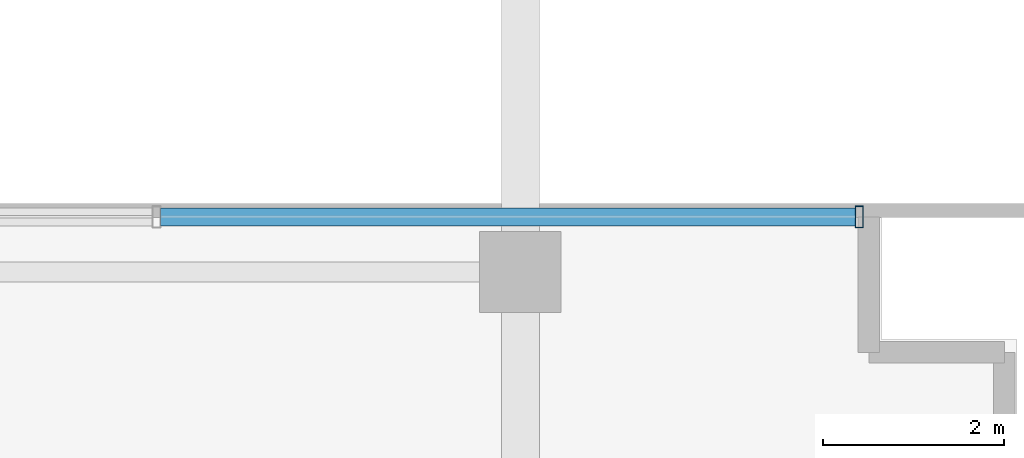
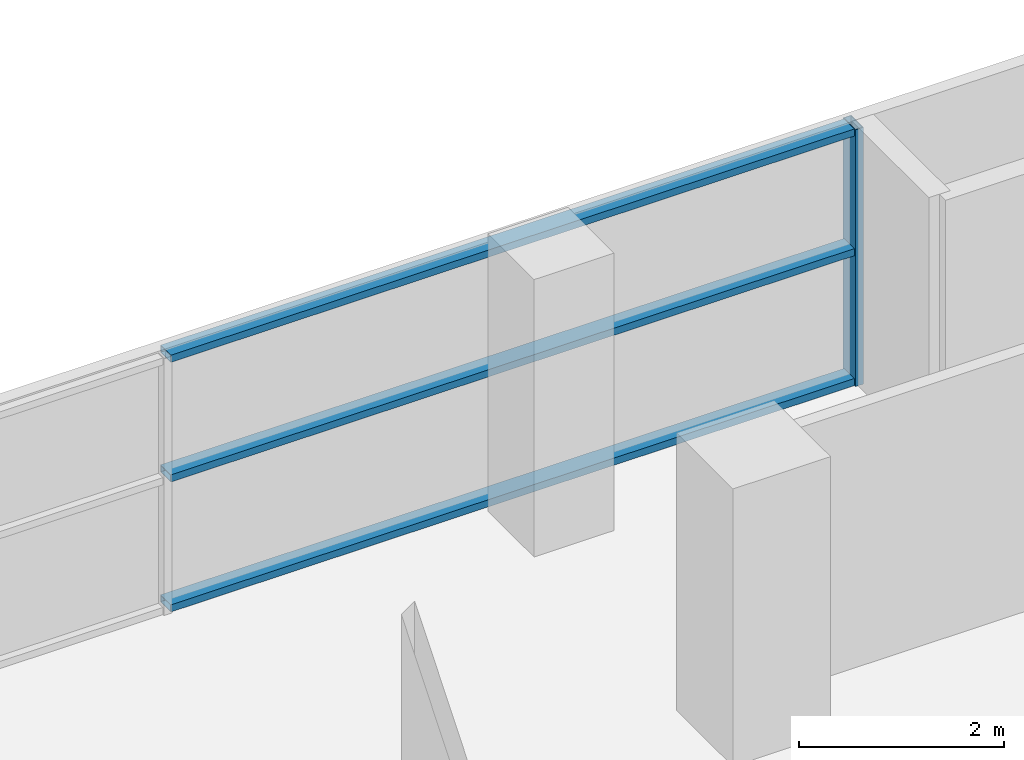
# One storey, part 22 of 32: 4 members, 1 element without a shape of its own.
"""IFC4 building model written with IfcOpenShell, lengths in metres."""

import ifcopenshell
import ifcopenshell.guid

model = None  # the IFC model being written
_history = None  # IfcOwnerHistory: only IFC2X3 demands one
_inside = {}  # id of a spatial element -> (the spatial element, [elements in it])
_under = {}  # id of a project, library or spatial element -> (it, [spatial elements below it])
_declared = {}  # id of a project -> (the project, [libraries it declares])
_typed = {}  # id of a type object -> (the type object, [elements of that type])
_made_of = {}  # id of a material, layer set ... -> (it, [elements and type objects made of it])


def new_model(schema):
    """Start an empty IFC model of exactly this schema.

    Asked for "IFC4X3", IfcOpenShell would pick the latest addendum, in which some entities
    have other attributes; the version numbers below select the first issue.
    IFC2X3 requires an IfcOwnerHistory on every rooted entity: one is made here for all.
    """
    global model, _history
    if schema == "IFC4X3":
        model = ifcopenshell.file(schema_version=(4, 3, 0, 0))
    else:
        model = ifcopenshell.file(schema=schema)
    _inside.clear()
    _under.clear()
    _declared.clear()
    _typed.clear()
    _made_of.clear()
    _history = None
    if model.schema == "IFC2X3":
        org = make("IfcOrganization", Name="unknown")
        user = make(
            "IfcPersonAndOrganization",
            ThePerson=make("IfcPerson", FamilyName="unknown"),
            TheOrganization=org,
        )
        app = make(
            "IfcApplication",
            ApplicationDeveloper=org,
            Version="unknown",
            ApplicationFullName="unknown",
            ApplicationIdentifier="unknown",
        )
        _history = make(
            "IfcOwnerHistory",
            OwningUser=user,
            OwningApplication=app,
            ChangeAction="ADDED",
            CreationDate=0,
        )
    return model


def make(cls, **values):
    """One entity of the class cls with the attributes given. An attribute that is None is left unset."""
    return model.create_entity(
        cls, **{name: value for name, value in values.items() if value is not None}
    )


def rooted(cls, **values):
    """An entity with a GlobalId (a new one), such as an element, a storey or a relation."""
    return make(cls, GlobalId=ifcopenshell.guid.new(), OwnerHistory=_history, **values)


def si_unit(unit_type, name, prefix=None):
    """IfcSIUnit, for example si_unit("LENGTHUNIT", "METRE", prefix="MILLI")."""
    return make("IfcSIUnit", UnitType=unit_type, Prefix=prefix, Name=name)


def assignment(units):
    """IfcUnitAssignment: the units of a project."""
    return None if units is None else make("IfcUnitAssignment", Units=units)


def point(xyz):
    """IfcCartesianPoint."""
    return None if xyz is None else make("IfcCartesianPoint", Coordinates=xyz)


def direction(xyz):
    """IfcDirection."""
    return None if xyz is None else make("IfcDirection", DirectionRatios=xyz)


def frame(location, z_axis=None, x_axis=None):
    """IfcAxis2Placement3D, a coordinate frame: its origin and axes. An axis left out is left unset."""
    return make(
        "IfcAxis2Placement3D",
        Location=point(location),
        Axis=direction(z_axis),
        RefDirection=direction(x_axis),
    )


def frame_2d(location, x_axis=None):
    """IfcAxis2Placement2D, a coordinate frame in the plane: its origin and x axis."""
    return make(
        "IfcAxis2Placement2D", Location=point(location), RefDirection=direction(x_axis)
    )


def origin():
    """The frame at (0, 0, 0) with its axes left unset."""
    return frame((0.0, 0.0, 0.0))


def origin_2d():
    """The frame at (0, 0) in the plane with its x axis left unset."""
    return frame_2d((0.0, 0.0))


def place(relative_to, where):
    """IfcLocalPlacement: puts the frame where relative to a parent placement (None: the world)."""
    return make(
        "IfcLocalPlacement", PlacementRelTo=relative_to, RelativePlacement=where
    )


def context(
    kind, dimensions, precision=None, world=None, true_north=None, identifier=None
):
    """IfcGeometricRepresentationContext, for example the 3D "Model" context."""
    return make(
        "IfcGeometricRepresentationContext",
        ContextIdentifier=identifier,
        ContextType=kind,
        CoordinateSpaceDimension=dimensions,
        Precision=precision,
        WorldCoordinateSystem=world,
        TrueNorth=true_north,
    )


def subcontext(parent, identifier, kind, view, scale=None):
    """IfcGeometricRepresentationSubContext, for example "Body" below "Model"."""
    return make(
        "IfcGeometricRepresentationSubContext",
        ContextIdentifier=identifier,
        ContextType=kind,
        ParentContext=parent,
        TargetScale=scale,
        TargetView=view,
    )


def project(units=None, contexts=None):
    """IfcProject with its units and contexts."""
    return rooted(
        "IfcProject",
        Name="project",
        RepresentationContexts=contexts,
        UnitsInContext=assignment(units),
    )


def spatial(cls, under=None, at=None, **own):
    """A site, building, storey or space (cls), placed at a placement, below another one or the project."""
    s = rooted(cls, ObjectPlacement=at, **own)
    if under is not None:
        _under.setdefault(under.id(), (under, []))[1].append(s)
    return s


def profile(cls, at=None, kind="AREA", **sizes):
    """A parametric profile (cls). Its sizes go by their IFC names, for example OverallWidth=200.0."""
    return make(cls, ProfileType=kind, Position=at, **sizes)


def hollow_rectangle(**sizes):
    """IfcRectangleHollowProfileDef."""
    return profile("IfcRectangleHollowProfileDef", **sizes)


def extrude(swept, where, along, depth):
    """IfcExtrudedAreaSolid: the profile swept, set in the frame where, extruded along a direction by depth."""
    return make(
        "IfcExtrudedAreaSolid",
        SweptArea=swept,
        Position=where,
        ExtrudedDirection=direction(along),
        Depth=depth,
    )


def shape(context_of_items, identifier, shape_type, items):
    """IfcShapeRepresentation: the items that make up one representation, for example the "Body"."""
    return make(
        "IfcShapeRepresentation",
        ContextOfItems=context_of_items,
        RepresentationIdentifier=identifier,
        RepresentationType=shape_type,
        Items=items,
    )


def source(mapping_origin, context_of_items, identifier, shape_type, items):
    """IfcRepresentationMap: a shape defined once, which mapped items show again and again."""
    return make(
        "IfcRepresentationMap",
        MappingOrigin=mapping_origin,
        MappedRepresentation=shape(context_of_items, identifier, shape_type, items),
    )


def transform(
    local_origin,
    x_axis=None,
    y_axis=None,
    z_axis=None,
    scale=None,
    scale2=None,
    scale3=None,
    uniform=True,
):
    """IfcCartesianTransformationOperator3D, or its non-uniform kind. x_axis, y_axis, z_axis: its Axis1, 2, 3."""
    if uniform:
        return make(
            "IfcCartesianTransformationOperator3D",
            Axis1=direction(x_axis),
            Axis2=direction(y_axis),
            LocalOrigin=point(local_origin),
            Scale=scale,
            Axis3=direction(z_axis),
        )
    return make(
        "IfcCartesianTransformationOperator3DnonUniform",
        Axis1=direction(x_axis),
        Axis2=direction(y_axis),
        LocalOrigin=point(local_origin),
        Scale=scale,
        Axis3=direction(z_axis),
        Scale2=scale2,
        Scale3=scale3,
    )


def mapped(mapping_source, mapping_target):
    """IfcMappedItem: shows the shape of a source again, moved by a transform."""
    return make(
        "IfcMappedItem", MappingSource=mapping_source, MappingTarget=mapping_target
    )


def material(Name=None, Category=None):
    """IfcMaterial."""
    return make("IfcMaterial", Name=Name, Category=Category)


def layer(
    of_material, thickness, ventilated=None, Name=None, Category=None, Priority=None
):
    """IfcMaterialLayer: one layer of a wall or slab, of a material (None: an air gap)."""
    return make(
        "IfcMaterialLayer",
        Material=of_material,
        LayerThickness=thickness,
        IsVentilated=ventilated,
        Name=Name,
        Category=Category,
        Priority=Priority,
    )


def layer_set(layers, Name=None):
    """IfcMaterialLayerSet."""
    return make("IfcMaterialLayerSet", MaterialLayers=layers, LayerSetName=Name)


def material_profile(
    of_material, cross_section, Name=None, Category=None, Priority=None
):
    """IfcMaterialProfile: a cross section and its material."""
    return make(
        "IfcMaterialProfile",
        Name=Name,
        Material=of_material,
        Profile=cross_section,
        Priority=Priority,
        Category=Category,
    )


def profile_set(profiles, Name=None, composite=None):
    """IfcMaterialProfileSet."""
    return make(
        "IfcMaterialProfileSet",
        Name=Name,
        MaterialProfiles=profiles,
        CompositeProfile=composite,
    )


def made_of(thing, what):
    """Note that an element or type object is made of a material, layer set ...; save() writes the relation."""
    if what is not None:
        _made_of.setdefault(what.id(), (what, []))[1].append(thing)
    return thing


def type_object(cls, material=None, **own):
    """A type object (cls), such as IfcWallType, which elements share."""
    return made_of(rooted(cls, **own), material)


def element(
    cls,
    number,
    at=None,
    inside=None,
    cuts=None,
    type_object=None,
    material=None,
    context=None,
    identifier="Body",
    shape_type=None,
    held_by="IfcProductDefinitionShape",
    body=None,
    shapes=None,
    **own,
):
    """One element of the class cls, such as IfcWall. Its Tag is "e" and its number.

    at: its placement. inside: the storey or other place that contains it. cuts: it is an
    opening in that element (IfcRelVoidsElement). A single representation is given by context,
    identifier, shape_type and body (its items); several are given by shapes. held_by: the class
    of the entity that holds the representations. save() writes the other relations.
    """
    e = rooted(cls, Tag="e%d" % number, ObjectPlacement=at, **own)
    if body is not None:
        shapes = [shape(context, identifier, shape_type, body)]
    if shapes is not None:
        e.Representation = make(held_by, Representations=shapes)
    if inside is not None:
        _inside.setdefault(inside.id(), (inside, []))[1].append(e)
    if cuts is not None:
        rooted(
            "IfcRelVoidsElement", RelatingBuildingElement=cuts, RelatedOpeningElement=e
        )
    if type_object is not None:
        _typed.setdefault(type_object.id(), (type_object, []))[1].append(e)
    return made_of(e, material)


def aggregate(whole, parts):
    """IfcRelAggregates: a whole, such as a stair, and the parts it consists of."""
    return rooted("IfcRelAggregates", RelatingObject=whole, RelatedObjects=parts)


def save(model, path):
    """Write the relations noted so far, then the file.

    IfcRelAggregates (storeys below a building ...), IfcRelContainedInSpatialStructure (elements
    in a storey), IfcRelDefinesByType, IfcRelAssociatesMaterial and IfcRelDeclares: one each for
    every whole, place, type object, material and project.
    """
    for whole, parts in _under.values():
        aggregate(whole, parts)
    for where, things in _inside.values():
        rooted(
            "IfcRelContainedInSpatialStructure",
            RelatedElements=things,
            RelatingStructure=where,
        )
    for kind, things in _typed.values():
        rooted("IfcRelDefinesByType", RelatedObjects=things, RelatingType=kind)
    for what, things in _made_of.values():
        rooted("IfcRelAssociatesMaterial", RelatedObjects=things, RelatingMaterial=what)
    for by, libraries in _declared.values():
        rooted("IfcRelDeclares", RelatingContext=by, RelatedDefinitions=libraries)
    model.write(path)


model = new_model("IFC4")

# Units and contexts
model_context = context("Model", 3, precision=1e-05, world=origin(), true_north=direction((0.0, 1.0)))
body_context = subcontext(model_context, "Body", "Model", "MODEL_VIEW")
ifc_project = project(units=[si_unit("LENGTHUNIT", "METRE"), si_unit("AREAUNIT", "SQUARE_METRE"), si_unit("VOLUMEUNIT", "CUBIC_METRE"), si_unit("PLANEANGLEUNIT", "RADIAN"), si_unit("MASSUNIT", "GRAM", prefix="KILO")], contexts=[model_context])

# Site, building, storey
site_placement = place(None, origin())
site = spatial("IfcSite", under=ifc_project, at=site_placement, CompositionType="ELEMENT")
building_placement = place(site_placement, origin())
building = spatial("IfcBuilding", under=site, at=building_placement, Name="Zarnakvel Exchange Tower", CompositionType="ELEMENT")
storey_placement = place(building_placement, frame((0.0, 0.0, 27.39990234375)))
storey = spatial("IfcBuildingStorey", under=building, at=storey_placement, Name="L06", CompositionType="ELEMENT", Elevation=27.39990234375)

# Curtain wall, members
ifc_material = material(Name="Architectural Bronze Anodised Aluminium", Category="aluminium")
ifc_layer = layer(ifc_material, 0.239990234375)
ifc_layer_set = layer_set([ifc_layer], Name="Architectural Bronze Anodised Aluminium")
curtain_wall_type = type_object("IfcCurtainWallType", Name="CW-02", PredefinedType="NOTDEFINED", material=ifc_layer_set)
curtain_wall_placement = place(storey_placement, origin())
curtain_wall = element("IfcCurtainWall", 1, at=curtain_wall_placement, inside=storey, type_object=curtain_wall_type, Name="L06 Curtain Wall CW-L06-N1 (CW-02)", PredefinedType="NOTDEFINED")
ifc_material_profile_1 = material_profile(ifc_material, hollow_rectangle(XDim=0.239990234375, YDim=0.090087890625, WallThickness=0.006103515625, at=origin_2d()))
ifc_profile_set_1 = profile_set([ifc_material_profile_1], Name="Architectural Bronze Anodised Aluminium")
member_type_1 = type_object("IfcMemberType", Name="CWM-02", PredefinedType="MULLION", material=ifc_profile_set_1)
shared_shape_1 = source(origin(), body_context, "Body", "SweptSolid", [
    extrude(hollow_rectangle(XDim=0.239990234375, YDim=0.090087890625, WallThickness=0.006103515625, at=origin_2d()), origin(), (0.0, 0.0, 1.0), 3.05517578125),
])
member_1_placement = place(storey_placement, frame((25.35498046875, 18.06005859375, 0.0), z_axis=(0.0, 0.0, 1.0), x_axis=(0.0, 1.0, 0.0)))
member_1 = element("IfcMember", 2, at=member_1_placement, type_object=member_type_1, Name="CW-02 mullion 8", PredefinedType="MULLION", context=body_context, shape_type="MappedRepresentation", body=[
    mapped(shared_shape_1, transform((0.0, 0.0, 0.0), x_axis=(1.0, 0.0, 0.0), y_axis=(0.0, 1.0, 0.0), z_axis=(0.0, 0.0, 1.0), scale=1.0)),
])
ifc_material_profile_2 = material_profile(ifc_material, hollow_rectangle(XDim=0.199951171875, YDim=0.0849609375, WallThickness=0.0048828125, at=origin_2d()))
ifc_profile_set_2 = profile_set([ifc_material_profile_2], Name="Architectural Bronze Anodised Aluminium")
member_type_2 = type_object("IfcMemberType", Name="CWT-02", PredefinedType="USERDEFINED", material=ifc_profile_set_2)
shared_shape_2 = source(origin(), body_context, "Body", "SweptSolid", [
    extrude(hollow_rectangle(XDim=0.199951171875, YDim=0.0849609375, WallThickness=0.0048828125, at=origin_2d()), origin(), (0.0, 0.0, 1.0), 7.693603515625),
])
member_2_placement = place(storey_placement, frame((17.616455078125, 18.06005859375, 0.04248046875), z_axis=(1.0, 0.0, 0.0), x_axis=(0.0, 1.0, 0.0)))
member_2 = element("IfcMember", 3, at=member_2_placement, type_object=member_type_2, Name="CW-02 transom 7.1", ObjectType="TRANSOM", PredefinedType="USERDEFINED", context=body_context, shape_type="MappedRepresentation", body=[
    mapped(shared_shape_2, transform((0.0, 0.0, 0.0), x_axis=(1.0, 0.0, 0.0), y_axis=(0.0, 1.0, 0.0), z_axis=(0.0, 0.0, 1.0), scale=1.0)),
])
member_3_placement = place(storey_placement, frame((17.616455078125, 18.06005859375, 1.588623046875), z_axis=(1.0, 0.0, 0.0), x_axis=(0.0, 1.0, 0.0)))
member_3 = element("IfcMember", 4, at=member_3_placement, type_object=member_type_2, Name="CW-02 transom 7.2", ObjectType="TRANSOM", PredefinedType="USERDEFINED", context=body_context, shape_type="MappedRepresentation", body=[
    mapped(shared_shape_2, transform((0.0, 0.0, 0.0), x_axis=(1.0, 0.0, 0.0), y_axis=(0.0, 1.0, 0.0), z_axis=(0.0, 0.0, 1.0), scale=1.0)),
])
member_4_placement = place(storey_placement, frame((17.616455078125, 18.06005859375, 3.0126953125), z_axis=(1.0, 0.0, 0.0), x_axis=(0.0, 1.0, 0.0)))
member_4 = element("IfcMember", 5, at=member_4_placement, type_object=member_type_2, Name="CW-02 transom 7.3", ObjectType="TRANSOM", PredefinedType="USERDEFINED", context=body_context, shape_type="MappedRepresentation", body=[
    mapped(shared_shape_2, transform((0.0, 0.0, 0.0), x_axis=(1.0, 0.0, 0.0), y_axis=(0.0, 1.0, 0.0), z_axis=(0.0, 0.0, 1.0), scale=1.0)),
])
aggregate(curtain_wall, [member_1, member_2, member_3, member_4])

save(model, "model.ifc")
